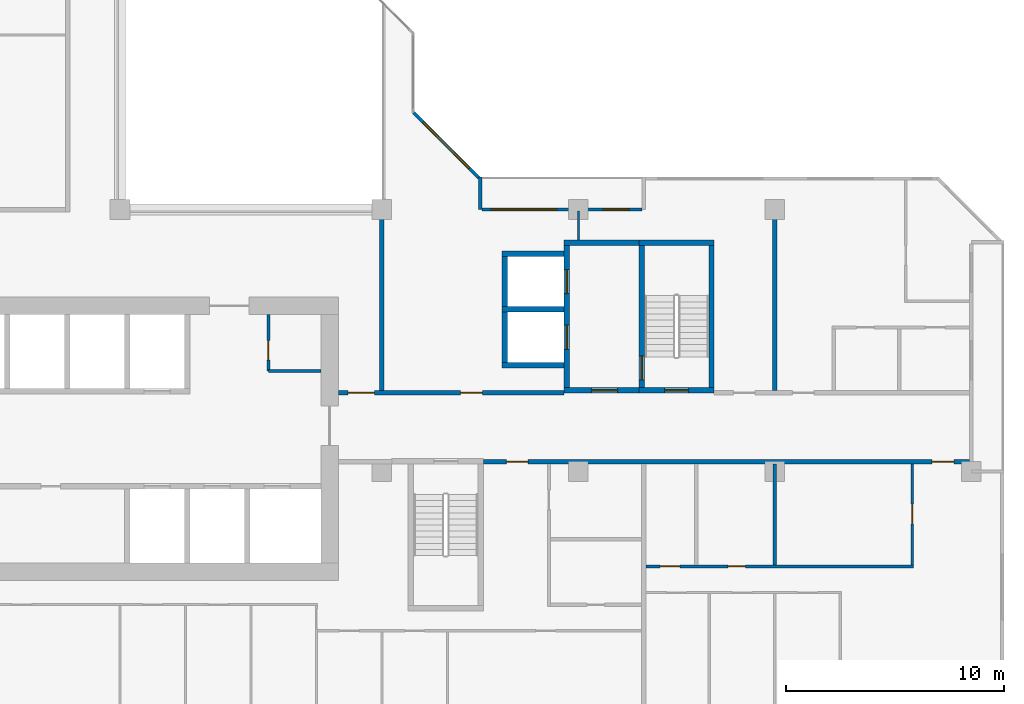
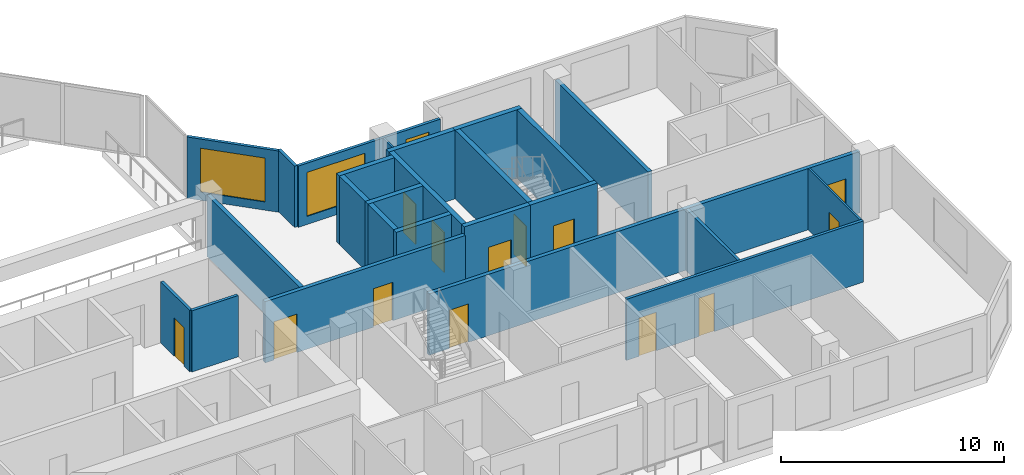
# One storey, part 7 of 15: 25 walls, 13 doors, 3 windows, 16 openings.
"""IFC4 building model written with IfcOpenShell, lengths in metres."""

from ifc_helpers import new_model, si_unit, direction, frame, frame_2d, origin, place, context, subcontext, project, spatial, rectangle, extrude, material, layer, layer_set, type_object, element, fill, save


model = new_model("IFC4")

# Units and contexts
model_context = context("Model", 3, precision=1e-05, world=origin(), true_north=direction((0.0, 1.0)))
body_context = subcontext(model_context, "Body", "Model", "MODEL_VIEW")
ifc_project = project(units=[si_unit("LENGTHUNIT", "METRE"), si_unit("AREAUNIT", "SQUARE_METRE"), si_unit("VOLUMEUNIT", "CUBIC_METRE"), si_unit("PLANEANGLEUNIT", "RADIAN"), si_unit("MASSUNIT", "GRAM", prefix="KILO")], contexts=[model_context])

# Site, building, storey
site_placement = place(None, origin())
site = spatial("IfcSite", under=ifc_project, at=site_placement, CompositionType="ELEMENT")
building_placement = place(site_placement, origin())
building = spatial("IfcBuilding", under=site, at=building_placement, Name="Chenar Terraces", CompositionType="ELEMENT")
storey_placement = place(building_placement, frame((0.0, 0.0, 198.64990234375)))
storey = spatial("IfcBuildingStorey", under=building, at=storey_placement, Name="L46", CompositionType="ELEMENT", Elevation=198.64990234375)

# Wall, opening, door
ifc_material_1 = material(Name="Gypsum board on steel studs", Category="steel")
ifc_layer_1 = layer(ifc_material_1, 0.14990234375)
ifc_layer_set_1 = layer_set([ifc_layer_1], Name="Gypsum board on steel studs")
wall_type_1 = type_object("IfcWallType", Name="Core partition 150 gypsum board", PredefinedType="PARTITIONING", material=ifc_layer_set_1)
wall_1_placement = place(storey_placement, frame((30.800048828125, 16.60009765625, 0.0), z_axis=(0.0, 0.0, 1.0), x_axis=(0.0, 1.0, 0.0)))
wall_1 = element("IfcWall", 1, at=wall_1_placement, inside=storey, type_object=wall_type_1, Name="Core partition CP1 vestibule room west wall", PredefinedType="PARTITIONING", context=body_context, shape_type="SweptSolid", body=[
    extrude(rectangle(XDim=2.599853515625, YDim=0.14990234375, at=frame_2d((1.2998046875, 0.0))), origin(), (0.0, 0.0, 1.0), 3.35009765625),
])
opening_1_placement = place(wall_1_placement, frame((0.5, 0.0, 0.0)))
opening_1 = element("IfcOpeningElement", 2, at=opening_1_placement, cuts=wall_1, Name="Opening DL46-C14", PredefinedType="OPENING", context=body_context, shape_type="SweptSolid", body=[
    extrude(rectangle(XDim=0.89990234375, YDim=2.10009765625, at=frame_2d((0.449951171875, 1.050048828125))), frame((0.0, 0.0849609375, 0.0), z_axis=(0.0, -1.0, 0.0), x_axis=(1.0, 0.0, 0.0)), (0.0, 0.0, 1.0), 0.169921875),
])
ifc_material_2 = material(Name="Steel-framed fire-resisting door leaf", Category="steel")
door_type_1 = type_object("IfcDoorType", Name="Riser fire door FD60 900 x 2100", OperationType="SINGLE_SWING_LEFT", PredefinedType="DOOR", material=ifc_material_2)
door_1_placement = place(opening_1_placement, frame((0.89990234375, 0.0, 0.0), z_axis=(0.0, 0.0, 1.0), x_axis=(-1.0, 0.0, 0.0)))
door_1 = element("IfcDoor", 3, at=door_1_placement, inside=storey, type_object=door_type_1, Name="Core room door DL46-C14", OperationType="SINGLE_SWING_RIGHT", OverallHeight=2.10009765625, OverallWidth=0.89990234375, PredefinedType="DOOR", context=body_context, shape_type="SweptSolid", body=[
    extrude(rectangle(XDim=0.89990234375, YDim=2.10009765625, at=frame_2d((0.449951171875, 1.050048828125))), frame((0.0, 0.02490234375, 0.0), z_axis=(0.0, -1.0, 0.0), x_axis=(1.0, 0.0, 0.0)), (0.0, 0.0, 1.0), 0.050048828125),
])
fill(opening_1, door_1)

# Wall
wall_2_placement = place(storey_placement, frame((30.800048828125, 16.60009765625, 0.0), z_axis=(0.0, 0.0, 1.0), x_axis=(1.0, 0.0, 0.0)))
element("IfcWall", 4, at=wall_2_placement, inside=storey, type_object=wall_type_1, Name="Core partition CP1 vestibule room south wall", PredefinedType="PARTITIONING", context=body_context, shape_type="SweptSolid", body=[
    extrude(rectangle(XDim=2.39990234375, YDim=0.14990234375, at=frame_2d((1.199951171875, 0.0))), origin(), (0.0, 0.0, 1.0), 3.35009765625),
])

# Wall, opening, door
ifc_material_3 = material(Name="Concrete C60/75", Category="concrete")
ifc_layer_2 = layer(ifc_material_3, 0.25)
ifc_layer_set_2 = layer_set([ifc_layer_2], Name="Concrete C60/75")
wall_type_2 = type_object("IfcWallType", Name="Core wall 250 Concrete C60/75", PredefinedType="SHEAR", material=ifc_layer_set_2)
wall_3_placement = place(storey_placement, frame((47.77490234375, 15.72509765625, 0.0), z_axis=(0.0, 0.0, 1.0), x_axis=(1.0, 0.0, 0.0)))
wall_3 = element("IfcWall", 5, at=wall_3_placement, inside=storey, type_object=wall_type_2, Name="Core wall ST3_S L46", PredefinedType="SHEAR", context=body_context, shape_type="SweptSolid", body=[
    extrude(rectangle(XDim=3.4501953125, YDim=0.25, at=frame_2d((1.72509765625, 0.0))), origin(), (0.0, 0.0, 1.0), 3.75),
])
opening_2_placement = place(wall_3_placement, frame((1.175048828125, 0.0, 0.0)))
opening_2 = element("IfcOpeningElement", 6, at=opening_2_placement, cuts=wall_3, Name="Opening DL46-C8", PredefinedType="OPENING", context=body_context, shape_type="SweptSolid", body=[
    extrude(rectangle(XDim=1.10009765625, YDim=2.199951171875, at=frame_2d((0.550048828125, 1.10009765625))), frame((0.0, 0.135009765625, 0.0), z_axis=(0.0, -1.0, 0.0), x_axis=(1.0, 0.0, 0.0)), (0.0, 0.0, 1.0), 0.27001953125),
])
ifc_material_4 = material(Name="Steel-framed fire-resisting door leaf", Category="steel")
door_type_2 = type_object("IfcDoorType", Name="Stair fire door FD60 1100 x 2200", OperationType="SINGLE_SWING_LEFT", PredefinedType="DOOR", material=ifc_material_4)
door_2_placement = place(opening_2_placement, frame((1.10009765625, 0.0, 0.0), z_axis=(0.0, 0.0, 1.0), x_axis=(-1.0, 0.0, 0.0)))
door_2 = element("IfcDoor", 7, at=door_2_placement, inside=storey, type_object=door_type_2, Name="Stair door DL46-C8", OperationType="SINGLE_SWING_LEFT", OverallHeight=2.199951171875, OverallWidth=1.10009765625, PredefinedType="DOOR", context=body_context, shape_type="SweptSolid", body=[
    extrude(rectangle(XDim=1.10009765625, YDim=2.199951171875, at=frame_2d((0.550048828125, 1.10009765625))), frame((0.0, 0.02490234375, 0.0), z_axis=(0.0, -1.0, 0.0), x_axis=(1.0, 0.0, 0.0)), (0.0, 0.0, 1.0), 0.050048828125),
])
fill(opening_2, door_2)

# Wall
wall_4_placement = place(storey_placement, frame((47.77490234375, 22.47509765625, 0.0), z_axis=(0.0, 0.0, 1.0), x_axis=(1.0, 0.0, 0.0)))
element("IfcWall", 8, at=wall_4_placement, inside=storey, type_object=wall_type_2, Name="Core wall ST3_N L46", PredefinedType="SHEAR", context=body_context, shape_type="SweptSolid", body=[
    extrude(rectangle(XDim=3.4501953125, YDim=0.25, at=frame_2d((1.72509765625, 0.0))), origin(), (0.0, 0.0, 1.0), 3.75),
])

# Wall, opening, door
wall_5_placement = place(storey_placement, frame((47.89990234375, 15.85009765625, 0.0), z_axis=(0.0, 0.0, 1.0), x_axis=(0.0, 1.0, 0.0)))
wall_5 = element("IfcWall", 9, at=wall_5_placement, inside=storey, type_object=wall_type_2, Name="Core wall ST3_W L46", PredefinedType="SHEAR", context=body_context, shape_type="SweptSolid", body=[
    extrude(rectangle(XDim=6.5, YDim=0.25, at=frame_2d((3.25, 0.0))), origin(), (0.0, 0.0, 1.0), 3.75),
])
opening_3_placement = place(wall_5_placement, frame((0.35009765625, 0.0, 0.0)))
opening_3 = element("IfcOpeningElement", 10, at=opening_3_placement, cuts=wall_5, Name="Opening DL46-C11", PredefinedType="OPENING", context=body_context, shape_type="SweptSolid", body=[
    extrude(rectangle(XDim=1.10009765625, YDim=2.199951171875, at=frame_2d((0.550048828125, 1.10009765625))), frame((0.0, 0.135009765625, 0.0), z_axis=(0.0, -1.0, 0.0), x_axis=(1.0, 0.0, 0.0)), (0.0, 0.0, 1.0), 0.27001953125),
])
door_3_placement = place(opening_3_placement, frame((1.10009765625, 0.0, 0.0), z_axis=(0.0, 0.0, 1.0), x_axis=(-1.0, 0.0, 0.0)))
door_3 = element("IfcDoor", 11, at=door_3_placement, inside=storey, type_object=door_type_2, Name="Stair door DL46-C11", OperationType="SINGLE_SWING_RIGHT", OverallHeight=2.199951171875, OverallWidth=1.10009765625, PredefinedType="DOOR", context=body_context, shape_type="SweptSolid", body=[
    extrude(rectangle(XDim=1.10009765625, YDim=2.199951171875, at=frame_2d((0.550048828125, 1.10009765625))), frame((0.0, 0.02490234375, 0.0), z_axis=(0.0, -1.0, 0.0), x_axis=(1.0, 0.0, 0.0)), (0.0, 0.0, 1.0), 0.050048828125),
])
fill(opening_3, door_3)

# Wall
wall_6_placement = place(storey_placement, frame((51.10009765625, 15.85009765625, 0.0), z_axis=(0.0, 0.0, 1.0), x_axis=(0.0, 1.0, 0.0)))
element("IfcWall", 12, at=wall_6_placement, inside=storey, type_object=wall_type_2, Name="Core wall ST3_E L46", PredefinedType="SHEAR", context=body_context, shape_type="SweptSolid", body=[
    extrude(rectangle(XDim=6.5, YDim=0.25, at=frame_2d((3.25, 0.0))), origin(), (0.0, 0.0, 1.0), 3.75),
])

# Wall, opening, door
wall_7_placement = place(storey_placement, frame((44.35009765625, 15.72509765625, 0.0), z_axis=(0.0, 0.0, 1.0), x_axis=(1.0, 0.0, 0.0)))
wall_7 = element("IfcWall", 13, at=wall_7_placement, inside=storey, type_object=wall_type_2, Name="Core wall F3_LS L46", PredefinedType="SHEAR", context=body_context, shape_type="SweptSolid", body=[
    extrude(rectangle(XDim=3.4248046875, YDim=0.25, at=frame_2d((1.71240234375, 0.0))), origin(), (0.0, 0.0, 1.0), 3.75),
])
opening_4_placement = place(wall_7_placement, frame((1.25, 0.0, 0.0)))
opening_4 = element("IfcOpeningElement", 14, at=opening_4_placement, cuts=wall_7, Name="Opening DL46-C10", PredefinedType="OPENING", context=body_context, shape_type="SweptSolid", body=[
    extrude(rectangle(XDim=1.199951171875, YDim=2.199951171875, at=frame_2d((0.60009765625, 1.10009765625))), frame((0.0, 0.135009765625, 0.0), z_axis=(0.0, -1.0, 0.0), x_axis=(1.0, 0.0, 0.0)), (0.0, 0.0, 1.0), 0.27001953125),
])
ifc_material_5 = material(Name="Steel-framed fire-resisting door leaf", Category="steel")
door_type_3 = type_object("IfcDoorType", Name="Lobby fire door FD60 1200 x 2200", OperationType="SINGLE_SWING_LEFT", PredefinedType="DOOR", material=ifc_material_5)
door_4_placement = place(opening_4_placement, origin())
door_4 = element("IfcDoor", 15, at=door_4_placement, inside=storey, type_object=door_type_3, Name="Core door DL46-C10", OperationType="SINGLE_SWING_RIGHT", OverallHeight=2.199951171875, OverallWidth=1.199951171875, PredefinedType="DOOR", context=body_context, shape_type="SweptSolid", body=[
    extrude(rectangle(XDim=1.199951171875, YDim=2.199951171875, at=frame_2d((0.60009765625, 1.10009765625))), frame((0.0, 0.02490234375, 0.0), z_axis=(0.0, -1.0, 0.0), x_axis=(1.0, 0.0, 0.0)), (0.0, 0.0, 1.0), 0.050048828125),
])
fill(opening_4, door_4)

# Wall
wall_8_placement = place(storey_placement, frame((44.35009765625, 22.47509765625, 0.0), z_axis=(0.0, 0.0, 1.0), x_axis=(1.0, 0.0, 0.0)))
element("IfcWall", 16, at=wall_8_placement, inside=storey, type_object=wall_type_2, Name="Core wall F3_LN L46", PredefinedType="SHEAR", context=body_context, shape_type="SweptSolid", body=[
    extrude(rectangle(XDim=3.4248046875, YDim=0.25, at=frame_2d((1.71240234375, 0.0))), origin(), (0.0, 0.0, 1.0), 3.75),
])

# Wall, openings, doors
wall_9_placement = place(storey_placement, frame((44.47509765625, 15.85009765625, 0.0), z_axis=(0.0, 0.0, 1.0), x_axis=(0.0, 1.0, 0.0)))
wall_9 = element("IfcWall", 17, at=wall_9_placement, inside=storey, type_object=wall_type_2, Name="Core wall F3_LW L46", PredefinedType="SHEAR", context=body_context, shape_type="SweptSolid", body=[
    extrude(rectangle(XDim=6.5, YDim=0.25, at=frame_2d((3.25, 0.0))), origin(), (0.0, 0.0, 1.0), 3.75),
])
opening_5_placement = place(wall_9_placement, frame((1.75, 0.0, 0.0)))
opening_5 = element("IfcOpeningElement", 18, at=opening_5_placement, cuts=wall_9, Name="Opening DL46-LD8", PredefinedType="OPENING", context=body_context, shape_type="SweptSolid", body=[
    extrude(rectangle(XDim=1.10009765625, YDim=2.199951171875, at=frame_2d((0.550048828125, 1.10009765625))), frame((0.0, 0.135009765625, 0.0), z_axis=(0.0, -1.0, 0.0), x_axis=(1.0, 0.0, 0.0)), (0.0, 0.0, 1.0), 0.27001953125),
])
opening_6_placement = place(wall_9_placement, frame((4.300048828125, 0.0, 0.0)))
opening_6 = element("IfcOpeningElement", 19, at=opening_6_placement, cuts=wall_9, Name="Opening DL46-LD9", PredefinedType="OPENING", context=body_context, shape_type="SweptSolid", body=[
    extrude(rectangle(XDim=1.10009765625, YDim=2.199951171875, at=frame_2d((0.550048828125, 1.10009765625))), frame((0.0, 0.135009765625, 0.0), z_axis=(0.0, -1.0, 0.0), x_axis=(1.0, 0.0, 0.0)), (0.0, 0.0, 1.0), 0.27001953125),
])
ifc_material_6 = material(Name="Stainless steel", Category="steel")
door_type_4 = type_object("IfcDoorType", Name="Lift landing door 1100 x 2200 sliding", OperationType="DOUBLE_DOOR_SLIDING", PredefinedType="DOOR", material=ifc_material_6)
door_5_placement = place(opening_5_placement, origin())
door_5 = element("IfcDoor", 20, at=door_5_placement, inside=storey, type_object=door_type_4, Name="Landing door F3", OperationType="DOUBLE_DOOR_SLIDING", OverallHeight=2.199951171875, OverallWidth=1.10009765625, PredefinedType="DOOR", context=body_context, shape_type="SweptSolid", body=[
    extrude(rectangle(XDim=1.10009765625, YDim=2.199951171875, at=frame_2d((0.550048828125, 1.10009765625))), frame((0.0, 0.02490234375, 0.0), z_axis=(0.0, -1.0, 0.0), x_axis=(1.0, 0.0, 0.0)), (0.0, 0.0, 1.0), 0.050048828125),
])
fill(opening_5, door_5)
door_6_placement = place(opening_6_placement, origin())
door_6 = element("IfcDoor", 21, at=door_6_placement, inside=storey, type_object=door_type_4, Name="Landing door F4", OperationType="DOUBLE_DOOR_SLIDING", OverallHeight=2.199951171875, OverallWidth=1.10009765625, PredefinedType="DOOR", context=body_context, shape_type="SweptSolid", body=[
    extrude(rectangle(XDim=1.10009765625, YDim=2.199951171875, at=frame_2d((0.550048828125, 1.10009765625))), frame((0.0, 0.02490234375, 0.0), z_axis=(0.0, -1.0, 0.0), x_axis=(1.0, 0.0, 0.0)), (0.0, 0.0, 1.0), 0.050048828125),
])
fill(opening_6, door_6)

# Walls
for number, where, z_axis, x_axis, name in (
    (22, (41.5, 16.875, 0.0), (0.0, 0.0, 1.0), (1.0, 0.0, 0.0), "Core wall F3_SS L46"),
    (23, (41.5, 19.425048828125, 0.0), (0.0, 0.0, 1.0), (1.0, 0.0, 0.0), "Core wall F3_SM L46"),
    (24, (41.5, 21.97509765625, 0.0), (0.0, 0.0, 1.0), (1.0, 0.0, 0.0), "Core wall F4_SN L46"),
):
    element("IfcWall", number, at=place(storey_placement, frame(where, z_axis=z_axis, x_axis=x_axis)), inside=storey, type_object=wall_type_2, Name=name, PredefinedType="SHEAR", context=body_context, shape_type="SweptSolid", body=[
        extrude(rectangle(XDim=2.85009765625, YDim=0.25, at=frame_2d((1.425048828125, 0.0))), origin(), (0.0, 0.0, 1.0), 3.75),
    ])
for number, where, z_axis, x_axis, name in (
    (25, (41.625, 17.0, 0.0), (0.0, 0.0, 1.0), (0.0, 1.0, 0.0), "Core wall F3_SW L46"),
    (26, (41.625, 19.550048828125, 0.0), (0.0, 0.0, 1.0), (0.0, 1.0, 0.0), "Core wall F4_SW L46"),
):
    element("IfcWall", number, at=place(storey_placement, frame(where, z_axis=z_axis, x_axis=x_axis)), inside=storey, type_object=wall_type_2, Name=name, PredefinedType="SHEAR", context=body_context, shape_type="SweptSolid", body=[
        extrude(rectangle(XDim=2.300048828125, YDim=0.25, at=frame_2d((1.14990234375, 0.0))), origin(), (0.0, 0.0, 1.0), 3.75),
    ])

# Wall, openings, doors
ifc_material_7 = material(Name="Gypsum board on steel studs with fire boards", Category="steel")
ifc_layer_3 = layer(ifc_material_7, 0.199951171875)
ifc_layer_set_3 = layer_set([ifc_layer_3], Name="Gypsum board on steel studs with fire boards")
wall_type_3 = type_object("IfcWallType", Name="Corridor wall 200", PredefinedType="PARTITIONING", material=ifc_layer_set_3)
wall_10_placement = place(storey_placement, frame((34.0, 15.60009765625, 0.0), z_axis=(0.0, 0.0, 1.0), x_axis=(1.0, 0.0, 0.0)))
wall_10 = element("IfcWall", 27, at=wall_10_placement, inside=storey, type_object=wall_type_3, Name="Partition L46-065", PredefinedType="PARTITIONING", context=body_context, shape_type="SweptSolid", body=[
    extrude(rectangle(XDim=10.35009765625, YDim=0.199951171875, at=frame_2d((5.175048828125, 0.0))), origin(), (0.0, 0.0, 1.0), 3.35009765625),
])
opening_7_placement = place(wall_10_placement, frame((5.60009765625, 0.0, 0.0)))
opening_7 = element("IfcOpeningElement", 28, at=opening_7_placement, cuts=wall_10, Name="Opening DL46-3", PredefinedType="OPENING", context=body_context, shape_type="SweptSolid", body=[
    extrude(rectangle(XDim=1.0, YDim=2.10009765625, at=frame_2d((0.5, 1.050048828125))), frame((0.0, 0.10986328125, 0.0), z_axis=(0.0, -1.0, 0.0), x_axis=(1.0, 0.0, 0.0)), (0.0, 0.0, 1.0), 0.219970703125),
])
opening_8_placement = place(wall_10_placement, frame((0.449951171875, 0.0, 0.0)))
opening_8 = element("IfcOpeningElement", 29, at=opening_8_placement, cuts=wall_10, Name="Opening DL46-37", PredefinedType="OPENING", context=body_context, shape_type="SweptSolid", body=[
    extrude(rectangle(XDim=1.199951171875, YDim=2.10009765625, at=frame_2d((0.60009765625, 1.050048828125))), frame((0.0, 0.10986328125, 0.0), z_axis=(0.0, -1.0, 0.0), x_axis=(1.0, 0.0, 0.0)), (0.0, 0.0, 1.0), 0.219970703125),
])
ifc_material_8 = material(Name="Steel-framed fire-resisting door leaf", Category="steel")
door_type_5 = type_object("IfcDoorType", Name="Fire door FD60 1000 x 2100", OperationType="SINGLE_SWING_LEFT", PredefinedType="DOOR", material=ifc_material_8)
door_7_placement = place(opening_7_placement, origin())
door_7 = element("IfcDoor", 30, at=door_7_placement, inside=storey, type_object=door_type_5, Name="Door DL46-3", OperationType="SINGLE_SWING_RIGHT", OverallHeight=2.10009765625, OverallWidth=1.0, PredefinedType="DOOR", context=body_context, shape_type="SweptSolid", body=[
    extrude(rectangle(XDim=1.0, YDim=2.10009765625, at=frame_2d((0.5, 1.050048828125))), frame((0.0, 0.02490234375, 0.0), z_axis=(0.0, -1.0, 0.0), x_axis=(1.0, 0.0, 0.0)), (0.0, 0.0, 1.0), 0.050048828125),
])
fill(opening_7, door_7)
ifc_material_9 = material(Name="Steel-framed fire-resisting door leaf", Category="steel")
door_type_6 = type_object("IfcDoorType", Name="Fire door FD60 1200 x 2100", OperationType="SINGLE_SWING_LEFT", PredefinedType="DOOR", material=ifc_material_9)
door_8_placement = place(opening_8_placement, origin())
door_8 = element("IfcDoor", 31, at=door_8_placement, inside=storey, type_object=door_type_6, Name="Door DL46-37", OperationType="SINGLE_SWING_RIGHT", OverallHeight=2.10009765625, OverallWidth=1.199951171875, PredefinedType="DOOR", context=body_context, shape_type="SweptSolid", body=[
    extrude(rectangle(XDim=1.199951171875, YDim=2.10009765625, at=frame_2d((0.60009765625, 1.050048828125))), frame((0.0, 0.02490234375, 0.0), z_axis=(0.0, -1.0, 0.0), x_axis=(1.0, 0.0, 0.0)), (0.0, 0.0, 1.0), 0.050048828125),
])
fill(opening_8, door_8)

# Wall
wall_11_placement = place(storey_placement, frame((36.0, 15.699951171875, 0.0), z_axis=(0.0, 0.0, 1.0), x_axis=(0.0, 1.0, 0.0)))
element("IfcWall", 32, at=wall_11_placement, inside=storey, type_object=wall_type_3, Name="Partition L46-067", PredefinedType="PARTITIONING", context=body_context, shape_type="SweptSolid", body=[
    extrude(rectangle(XDim=8.300048828125, YDim=0.199951171875, at=frame_2d((4.14990234375, 0.0))), origin(), (0.0, 0.0, 1.0), 3.35009765625),
])

# Wall, openings, doors
wall_12_placement = place(storey_placement, frame((40.64990234375, 12.449951171875, 0.0), z_axis=(0.0, 0.0, 1.0), x_axis=(1.0, 0.0, 0.0)))
wall_12 = element("IfcWall", 33, at=wall_12_placement, inside=storey, type_object=wall_type_3, Name="Partition L46-069", PredefinedType="PARTITIONING", context=body_context, shape_type="SweptSolid", body=[
    extrude(rectangle(XDim=22.276123046875, YDim=0.199951171875, at=frame_2d((11.13818359375, 0.0))), origin(), (0.0, 0.0, 1.0), 3.35009765625),
])
opening_9_placement = place(wall_12_placement, frame((20.550048828125, 0.0, 0.0)))
opening_9 = element("IfcOpeningElement", 34, at=opening_9_placement, cuts=wall_12, Name="Opening DL46-13", PredefinedType="OPENING", context=body_context, shape_type="SweptSolid", body=[
    extrude(rectangle(XDim=1.0, YDim=2.10009765625, at=frame_2d((0.5, 1.050048828125))), frame((0.0, 0.10986328125, 0.0), z_axis=(0.0, -1.0, 0.0), x_axis=(1.0, 0.0, 0.0)), (0.0, 0.0, 1.0), 0.219970703125),
])
opening_10_placement = place(wall_12_placement, frame((1.050048828125, 0.0, 0.0)))
opening_10 = element("IfcOpeningElement", 35, at=opening_10_placement, cuts=wall_12, Name="Opening DL46-52", PredefinedType="OPENING", context=body_context, shape_type="SweptSolid", body=[
    extrude(rectangle(XDim=1.0, YDim=2.10009765625, at=frame_2d((0.5, 1.050048828125))), frame((0.0, 0.10986328125, 0.0), z_axis=(0.0, -1.0, 0.0), x_axis=(1.0, 0.0, 0.0)), (0.0, 0.0, 1.0), 0.219970703125),
])
ifc_material_10 = material(Name="Steel-framed fire-resisting door leaf", Category="steel")
door_type_7 = type_object("IfcDoorType", Name="Fire door FD30S 1000 x 2100", OperationType="SINGLE_SWING_LEFT", PredefinedType="DOOR", material=ifc_material_10)
door_9_placement = place(opening_9_placement, frame((1.0, 0.0, 0.0), z_axis=(0.0, 0.0, 1.0), x_axis=(-1.0, 0.0, 0.0)))
door_9 = element("IfcDoor", 36, at=door_9_placement, inside=storey, type_object=door_type_7, Name="Door DL46-13", OperationType="SINGLE_SWING_LEFT", OverallHeight=2.10009765625, OverallWidth=1.0, PredefinedType="DOOR", context=body_context, shape_type="SweptSolid", body=[
    extrude(rectangle(XDim=1.0, YDim=2.10009765625, at=frame_2d((0.5, 1.050048828125))), frame((0.0, 0.02490234375, 0.0), z_axis=(0.0, -1.0, 0.0), x_axis=(1.0, 0.0, 0.0)), (0.0, 0.0, 1.0), 0.050048828125),
])
fill(opening_9, door_9)
door_10_placement = place(opening_10_placement, origin())
door_10 = element("IfcDoor", 37, at=door_10_placement, inside=storey, type_object=door_type_7, Name="Door DL46-52", OperationType="SINGLE_SWING_LEFT", OverallHeight=2.10009765625, OverallWidth=1.0, PredefinedType="DOOR", context=body_context, shape_type="SweptSolid", body=[
    extrude(rectangle(XDim=1.0, YDim=2.10009765625, at=frame_2d((0.5, 1.050048828125))), frame((0.0, 0.02490234375, 0.0), z_axis=(0.0, -1.0, 0.0), x_axis=(1.0, 0.0, 0.0)), (0.0, 0.0, 1.0), 0.050048828125),
])
fill(opening_10, door_10)

# Wall, openings, windows
ifc_material_11 = material(Name="Aluminium framed glazing", Category="aluminium")
ifc_layer_4 = layer(ifc_material_11, 0.14990234375)
ifc_layer_set_4 = layer_set([ifc_layer_4], Name="Aluminium framed glazing")
wall_type_4 = type_object("IfcWallType", Name="Glazed loggia back wall 150", PredefinedType="SOLIDWALL", material=ifc_layer_set_4)
wall_13_placement = place(storey_placement, frame((47.925048828125, 24.0, 0.0), z_axis=(0.0, 0.0, 1.0), x_axis=(-1.0, 0.0, 0.0)))
wall_13 = element("IfcWall", 38, at=wall_13_placement, inside=storey, type_object=wall_type_4, Name="Glazed loggia back wall", PredefinedType="SOLIDWALL", context=body_context, shape_type="SweptSolid", body=[
    extrude(rectangle(XDim=7.35009765625, YDim=0.14990234375, at=frame_2d((3.675048828125, 0.0))), origin(), (0.0, 0.0, 1.0), 3.35009765625),
])
opening_11_placement = place(wall_13_placement, frame((0.58740234375, 0.0, 0.449951171875)))
opening_11 = element("IfcOpeningElement", 39, at=opening_11_placement, cuts=wall_13, Name="Opening W120x240", PredefinedType="OPENING", context=body_context, shape_type="SweptSolid", body=[
    extrude(rectangle(XDim=1.199951171875, YDim=2.39990234375, at=frame_2d((0.60009765625, 1.199951171875))), frame((0.0, 0.0849609375, 0.0), z_axis=(0.0, -1.0, 0.0), x_axis=(1.0, 0.0, 0.0)), (0.0, 0.0, 1.0), 0.169921875),
])
opening_12_placement = place(wall_13_placement, frame((3.91259765625, 0.0, 0.449951171875)))
opening_12 = element("IfcOpeningElement", 40, at=opening_12_placement, cuts=wall_13, Name="Opening W300x240", PredefinedType="OPENING", context=body_context, shape_type="SweptSolid", body=[
    extrude(rectangle(XDim=3.0, YDim=2.39990234375, at=frame_2d((1.5, 1.199951171875))), frame((0.0, 0.0849609375, 0.0), z_axis=(0.0, -1.0, 0.0), x_axis=(1.0, 0.0, 0.0)), (0.0, 0.0, 1.0), 0.169921875),
])
ifc_material_12 = material(Name="Low emissivity double glazing, aluminium frame", Category="aluminium")
window_type_1 = type_object("IfcWindowType", Name="Fixed light 1200 x 2400", PartitioningType="SINGLE_PANEL", PredefinedType="WINDOW", material=ifc_material_12)
window_1_placement = place(opening_11_placement, origin())
window_1 = element("IfcWindow", 41, at=window_1_placement, inside=storey, type_object=window_type_1, Name="Window", OverallHeight=2.39990234375, OverallWidth=1.199951171875, PartitioningType="SINGLE_PANEL", PredefinedType="WINDOW", context=body_context, shape_type="SweptSolid", body=[
    extrude(rectangle(XDim=1.199951171875, YDim=2.39990234375, at=frame_2d((0.60009765625, 1.199951171875))), frame((0.0, 0.030029296875, 0.0), z_axis=(0.0, -1.0, 0.0), x_axis=(1.0, 0.0, 0.0)), (0.0, 0.0, 1.0), 0.06005859375),
])
fill(opening_11, window_1)
ifc_material_13 = material(Name="Low emissivity double glazing, aluminium frame", Category="aluminium")
window_type_2 = type_object("IfcWindowType", Name="Fixed light 3000 x 2400", PartitioningType="SINGLE_PANEL", PredefinedType="WINDOW", material=ifc_material_13)
window_2_placement = place(opening_12_placement, origin())
window_2 = element("IfcWindow", 42, at=window_2_placement, inside=storey, type_object=window_type_2, Name="Window", OverallHeight=2.39990234375, OverallWidth=3.0, PartitioningType="SINGLE_PANEL", PredefinedType="WINDOW", context=body_context, shape_type="SweptSolid", body=[
    extrude(rectangle(XDim=3.0, YDim=2.39990234375, at=frame_2d((1.5, 1.199951171875))), frame((0.0, 0.030029296875, 0.0), z_axis=(0.0, -1.0, 0.0), x_axis=(1.0, 0.0, 0.0)), (0.0, 0.0, 1.0), 0.06005859375),
])
fill(opening_12, window_2)

# Wall
ifc_material_14 = material(Name="Gypsum board on steel studs", Category="steel")
ifc_layer_5 = layer(ifc_material_14, 0.10009765625)
ifc_layer_set_5 = layer_set([ifc_layer_5], Name="Gypsum board on steel studs")
wall_type_5 = type_object("IfcWallType", Name="Gypsum partition 100", PredefinedType="PARTITIONING", material=ifc_layer_set_5)
wall_14_placement = place(storey_placement, frame((45.0, 22.60009765625, 0.0), z_axis=(0.0, 0.0, 1.0), x_axis=(0.0, 1.0, 0.0)))
element("IfcWall", 43, at=wall_14_placement, inside=storey, type_object=wall_type_5, Name="Partition L46-073", PredefinedType="PARTITIONING", context=body_context, shape_type="SweptSolid", body=[
    extrude(rectangle(XDim=1.325927734375, YDim=0.10009765625, at=frame_2d((0.6630859375, 0.0))), origin(), (0.0, 0.0, 1.0), 3.35009765625),
])

# Wall, opening, door
wall_15_placement = place(storey_placement, frame((60.300048828125, 7.72509765625, 0.0), z_axis=(0.0, 0.0, 1.0), x_axis=(0.0, 1.0, 0.0)))
wall_15 = element("IfcWall", 44, at=wall_15_placement, inside=storey, type_object=wall_type_5, Name="Partition L46-089", PredefinedType="PARTITIONING", context=body_context, shape_type="SweptSolid", body=[
    extrude(rectangle(XDim=4.625, YDim=0.10009765625, at=frame_2d((2.3125, 0.0))), origin(), (0.0, 0.0, 1.0), 3.35009765625),
])
opening_13_placement = place(wall_15_placement, frame((1.875, 0.0, 0.0)))
opening_13 = element("IfcOpeningElement", 45, at=opening_13_placement, cuts=wall_15, Name="Opening DL46-12", PredefinedType="OPENING", context=body_context, shape_type="SweptSolid", body=[
    extrude(rectangle(XDim=0.89990234375, YDim=2.10009765625, at=frame_2d((0.449951171875, 1.050048828125))), frame((0.0, 0.06005859375, 0.0), z_axis=(0.0, -1.0, 0.0), x_axis=(1.0, 0.0, 0.0)), (0.0, 0.0, 1.0), 0.1201171875),
])
ifc_material_15 = material(Name="Veneered timber door leaf", Category="wood")
door_type_8 = type_object("IfcDoorType", Name="Door 900 x 2100", OperationType="SINGLE_SWING_LEFT", PredefinedType="DOOR", material=ifc_material_15)
door_11_placement = place(opening_13_placement, origin())
door_11 = element("IfcDoor", 46, at=door_11_placement, inside=storey, type_object=door_type_8, Name="Door DL46-12", OperationType="SINGLE_SWING_LEFT", OverallHeight=2.10009765625, OverallWidth=0.89990234375, PredefinedType="DOOR", context=body_context, shape_type="SweptSolid", body=[
    extrude(rectangle(XDim=0.89990234375, YDim=2.10009765625, at=frame_2d((0.449951171875, 1.050048828125))), frame((0.0, 0.02490234375, 0.0), z_axis=(0.0, -1.0, 0.0), x_axis=(1.0, 0.0, 0.0)), (0.0, 0.0, 1.0), 0.050048828125),
])
fill(opening_13, door_11)

# Wall
ifc_material_16 = material(Name="Terracotta cladding on insulated backing", Category="masonry")
ifc_layer_6 = layer(ifc_material_16, 0.14990234375)
ifc_layer_set_6 = layer_set([ifc_layer_6], Name="Terracotta cladding on insulated backing")
wall_type_6 = type_object("IfcWallType", Name="Loggia return wall 150", PredefinedType="SOLIDWALL", material=ifc_layer_set_6)
wall_16_placement = place(storey_placement, frame((40.5, 25.5, 0.0), z_axis=(0.0, 0.0, 1.0), x_axis=(0.0, -1.0, 0.0)))
element("IfcWall", 47, at=wall_16_placement, inside=storey, type_object=wall_type_6, Name="Loggia return wall", PredefinedType="SOLIDWALL", context=body_context, shape_type="SweptSolid", body=[
    extrude(rectangle(XDim=1.5, YDim=0.14990234375, at=frame_2d((0.75, 0.0))), origin(), (0.0, 0.0, 1.0), 3.35009765625),
])

# Wall, opening, window
ifc_material_17 = material(Name="Terracotta cladding on insulated backing", Category="masonry")
ifc_layer_7 = layer(ifc_material_17, 0.14990234375)
ifc_layer_set_7 = layer_set([ifc_layer_7], Name="Terracotta cladding on insulated backing")
wall_type_7 = type_object("IfcWallType", Name="Terracotta rainscreen wall 150", PredefinedType="SOLIDWALL", material=ifc_layer_set_7)
wall_17_placement = place(storey_placement, frame((40.447021484375, 25.447021484375, 0.0), z_axis=(0.0, 0.0, 1.0), x_axis=(-0.707106781187, 0.707106781187, 0.0)))
wall_17 = element("IfcWall", 48, at=wall_17_placement, inside=storey, type_object=wall_type_7, Name="Terracotta rainscreen wall", PredefinedType="SOLIDWALL", context=body_context, shape_type="SweptSolid", body=[
    extrude(rectangle(XDim=4.24267578125, YDim=0.14990234375, at=frame_2d((2.121337890625, 0.0))), origin(), (0.0, 0.0, 1.0), 3.35009765625),
])
opening_14_placement = place(wall_17_placement, frame((0.621337890625, 0.0, 0.449951171875)))
opening_14 = element("IfcOpeningElement", 49, at=opening_14_placement, cuts=wall_17, Name="Opening W300x240", PredefinedType="OPENING", context=body_context, shape_type="SweptSolid", body=[
    extrude(rectangle(XDim=3.0, YDim=2.39990234375, at=frame_2d((1.5, 1.199951171875))), frame((0.0, 0.0849609375, 0.0), z_axis=(0.0, -1.0, 0.0), x_axis=(1.0, 0.0, 0.0)), (0.0, 0.0, 1.0), 0.169921875),
])
window_3_placement = place(opening_14_placement, origin())
window_3 = element("IfcWindow", 50, at=window_3_placement, inside=storey, type_object=window_type_2, Name="Window", OverallHeight=2.39990234375, OverallWidth=3.0, PartitioningType="SINGLE_PANEL", PredefinedType="WINDOW", context=body_context, shape_type="SweptSolid", body=[
    extrude(rectangle(XDim=3.0, YDim=2.39990234375, at=frame_2d((1.5, 1.199951171875))), frame((0.0, 0.030029296875, 0.0), z_axis=(0.0, -1.0, 0.0), x_axis=(1.0, 0.0, 0.0)), (0.0, 0.0, 1.0), 0.06005859375),
])
fill(opening_14, window_3)

# Wall
ifc_material_18 = material(Name="Twin gypsum board on steel studs with mineral wool", Category="steel")
ifc_layer_8 = layer(ifc_material_18, 0.199951171875)
ifc_layer_set_8 = layer_set([ifc_layer_8], Name="Twin gypsum board on steel studs with mineral wool")
wall_type_8 = type_object("IfcWallType", Name="Unit demising wall 200", PredefinedType="PARTITIONING", material=ifc_layer_set_8)
wall_18_placement = place(storey_placement, frame((54.0, 15.699951171875, 0.0), z_axis=(0.0, 0.0, 1.0), x_axis=(0.0, 1.0, 0.0)))
element("IfcWall", 51, at=wall_18_placement, inside=storey, type_object=wall_type_8, Name="Partition L46-082", PredefinedType="PARTITIONING", context=body_context, shape_type="SweptSolid", body=[
    extrude(rectangle(XDim=8.300048828125, YDim=0.199951171875, at=frame_2d((4.14990234375, 0.0))), origin(), (0.0, 0.0, 1.0), 3.35009765625),
])

# Wall, openings, doors
ifc_material_19 = material(Name="Moisture-resistant gypsum board on steel studs", Category="steel")
ifc_layer_9 = layer(ifc_material_19, 0.14990234375)
ifc_layer_set_9 = layer_set([ifc_layer_9], Name="Moisture-resistant gypsum board on steel studs")
wall_type_9 = type_object("IfcWallType", Name="Wet-room partition 150", PredefinedType="PARTITIONING", material=ifc_layer_set_9)
wall_19_placement = place(storey_placement, frame((48.10009765625, 7.64990234375, 0.0), z_axis=(0.0, 0.0, 1.0), x_axis=(1.0, 0.0, 0.0)))
wall_19 = element("IfcWall", 52, at=wall_19_placement, inside=storey, type_object=wall_type_9, Name="Partition L46-076", PredefinedType="PARTITIONING", context=body_context, shape_type="SweptSolid", body=[
    extrude(rectangle(XDim=12.25, YDim=0.14990234375, at=frame_2d((6.125, 0.0))), origin(), (0.0, 0.0, 1.0), 3.35009765625),
])
opening_15_placement = place(wall_19_placement, frame((3.75, 0.0, 0.0)))
opening_15 = element("IfcOpeningElement", 53, at=opening_15_placement, cuts=wall_19, Name="Opening DL46-8", PredefinedType="OPENING", context=body_context, shape_type="SweptSolid", body=[
    extrude(rectangle(XDim=0.800048828125, YDim=2.10009765625, at=frame_2d((0.39990234375, 1.050048828125))), frame((0.0, 0.0849609375, 0.0), z_axis=(0.0, -1.0, 0.0), x_axis=(1.0, 0.0, 0.0)), (0.0, 0.0, 1.0), 0.169921875),
])
opening_16_placement = place(wall_19_placement, frame((0.64990234375, 0.0, 0.0)))
opening_16 = element("IfcOpeningElement", 54, at=opening_16_placement, cuts=wall_19, Name="Opening DL46-14", PredefinedType="OPENING", context=body_context, shape_type="SweptSolid", body=[
    extrude(rectangle(XDim=0.89990234375, YDim=2.10009765625, at=frame_2d((0.449951171875, 1.050048828125))), frame((0.0, 0.0849609375, 0.0), z_axis=(0.0, -1.0, 0.0), x_axis=(1.0, 0.0, 0.0)), (0.0, 0.0, 1.0), 0.169921875),
])
ifc_material_20 = material(Name="Veneered timber door leaf", Category="wood")
door_type_9 = type_object("IfcDoorType", Name="Door 800 x 2100", OperationType="SINGLE_SWING_LEFT", PredefinedType="DOOR", material=ifc_material_20)
door_12_placement = place(opening_15_placement, origin())
door_12 = element("IfcDoor", 55, at=door_12_placement, inside=storey, type_object=door_type_9, Name="Door DL46-8", OperationType="SINGLE_SWING_RIGHT", OverallHeight=2.10009765625, OverallWidth=0.800048828125, PredefinedType="DOOR", context=body_context, shape_type="SweptSolid", body=[
    extrude(rectangle(XDim=0.800048828125, YDim=2.10009765625, at=frame_2d((0.39990234375, 1.050048828125))), frame((0.0, 0.02490234375, 0.0), z_axis=(0.0, -1.0, 0.0), x_axis=(1.0, 0.0, 0.0)), (0.0, 0.0, 1.0), 0.050048828125),
])
fill(opening_15, door_12)
door_13_placement = place(opening_16_placement, origin())
door_13 = element("IfcDoor", 56, at=door_13_placement, inside=storey, type_object=door_type_8, Name="Door DL46-14", OperationType="SINGLE_SWING_RIGHT", OverallHeight=2.10009765625, OverallWidth=0.89990234375, PredefinedType="DOOR", context=body_context, shape_type="SweptSolid", body=[
    extrude(rectangle(XDim=0.89990234375, YDim=2.10009765625, at=frame_2d((0.449951171875, 1.050048828125))), frame((0.0, 0.02490234375, 0.0), z_axis=(0.0, -1.0, 0.0), x_axis=(1.0, 0.0, 0.0)), (0.0, 0.0, 1.0), 0.050048828125),
])
fill(opening_16, door_13)

# Wall
wall_20_placement = place(storey_placement, frame((54.0, 7.72509765625, 0.0), z_axis=(0.0, 0.0, 1.0), x_axis=(0.0, 1.0, 0.0)))
element("IfcWall", 57, at=wall_20_placement, inside=storey, type_object=wall_type_9, Name="Partition L46-081", PredefinedType="PARTITIONING", context=body_context, shape_type="SweptSolid", body=[
    extrude(rectangle(XDim=4.625, YDim=0.14990234375, at=frame_2d((2.3125, 0.0))), origin(), (0.0, 0.0, 1.0), 3.35009765625),
])

save(model, "model.ifc")
